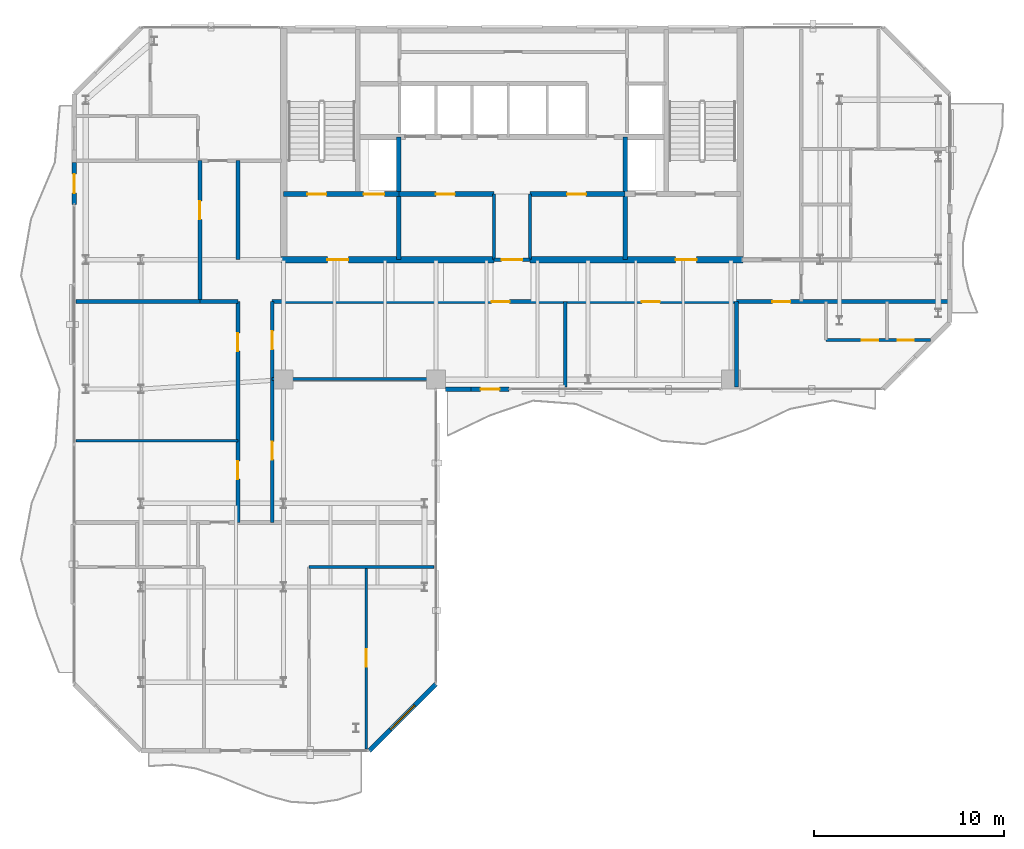
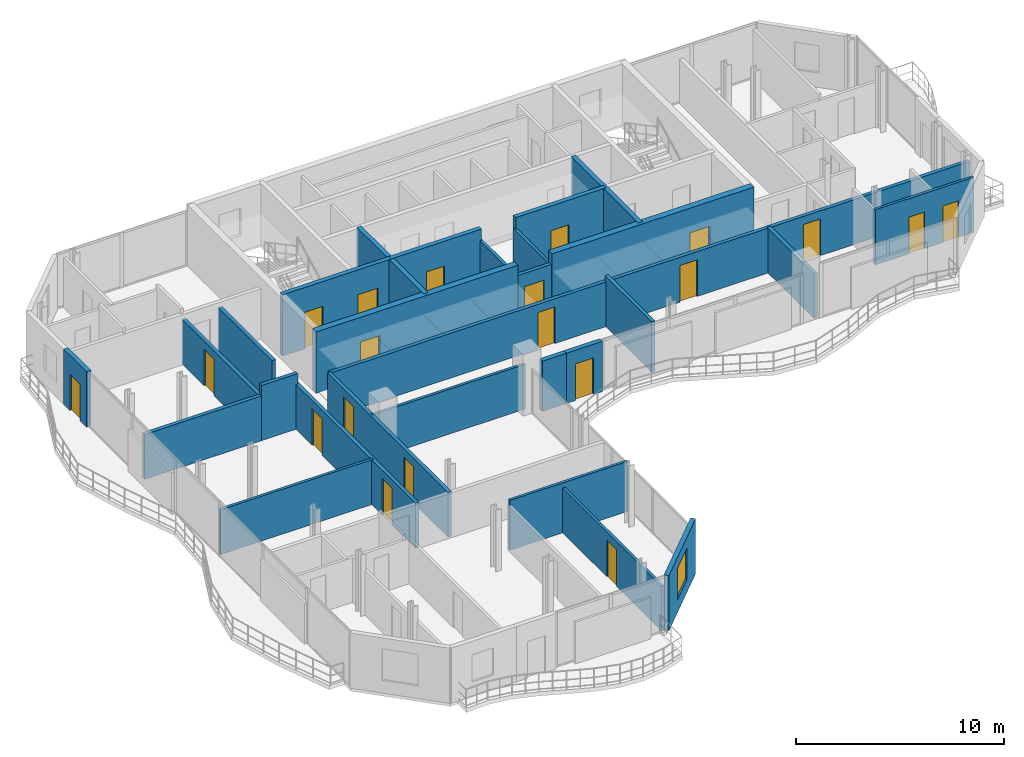
# One storey, part 18 of 23: 28 walls, 20 doors, 1 window, 21 openings.
"""IFC4 building model written with IfcOpenShell, lengths in metres."""

from ifc_helpers import new_model, si_unit, direction, frame, frame_2d, origin, place, context, subcontext, project, spatial, rectangle, extrude, material, layer, layer_set, type_object, element, fill, save


model = new_model("IFC4")

# Units and contexts
model_context = context("Model", 3, precision=1e-05, world=origin(), true_north=direction((0.0, 1.0)))
body_context = subcontext(model_context, "Body", "Model", "MODEL_VIEW")
ifc_project = project(units=[si_unit("LENGTHUNIT", "METRE"), si_unit("AREAUNIT", "SQUARE_METRE"), si_unit("VOLUMEUNIT", "CUBIC_METRE"), si_unit("PLANEANGLEUNIT", "RADIAN"), si_unit("MASSUNIT", "GRAM", prefix="KILO")], contexts=[model_context])

# Site, building, storey
site_placement = place(None, origin())
site = spatial("IfcSite", under=ifc_project, at=site_placement, CompositionType="ELEMENT")
building_placement = place(site_placement, origin())
building = spatial("IfcBuilding", under=site, at=building_placement, Name="Catumbela Crestline Tower", CompositionType="ELEMENT")
storey_placement = place(building_placement, frame((0.0, 0.0, 204.6)))
storey = spatial("IfcBuildingStorey", under=building, at=storey_placement, Name="L53", CompositionType="ELEMENT", Elevation=204.6)

# Walls
ifc_material_1 = material(Name="Concrete C50/60", Category="concrete")
ifc_layer_1 = layer(ifc_material_1, 0.25, Name="Concrete C50/60")
ifc_layer_set_1 = layer_set([ifc_layer_1], Name="Concrete C50/60")
wall_type_1 = type_object("IfcWallType", Name="CW-250D", PredefinedType="SHEAR", material=ifc_layer_set_1)
for number, where, z_axis, x_axis, name in (
    (1, (22.05, 30.8, 0.0), (0.0, 0.0, 1.0), (0.0, 1.0, 0.0), "L53 Structural Core Shear Wall FFW"),
    (2, (33.95, 30.8, 0.0), (0.0, 0.0, 1.0), (0.0, 1.0, 0.0), "L53 Structural Core Shear Wall FFE"),
):
    element("IfcWall", number, at=place(storey_placement, frame(where, z_axis=z_axis, x_axis=x_axis)), inside=storey, type_object=wall_type_1, Name=name, PredefinedType="SHEAR", context=body_context, shape_type="SweptSolid", body=[
        extrude(rectangle(XDim=6.45, YDim=0.25, at=frame_2d((3.225, 0.0))), origin(), (0.0, 0.0, 1.0), 3.6),
    ])

# Wall, openings, doors
wall_1_placement = place(storey_placement, frame((16.0, 34.25, 0.0), z_axis=(0.0, 0.0, 1.0), x_axis=(1.0, 0.0, 0.0)))
wall_1 = element("IfcWall", 3, at=wall_1_placement, inside=storey, type_object=wall_type_1, Name="L53 Structural Core Shear Wall ST1S", PredefinedType="SHEAR", context=body_context, shape_type="SweptSolid", body=[
    extrude(rectangle(XDim=6.05, YDim=0.25, at=frame_2d((3.025, 0.0))), origin(), (0.0, 0.0, 1.0), 3.6),
])
opening_1_placement = place(wall_1_placement, frame((1.25, 0.0, 0.0)))
opening_1 = element("IfcOpeningElement", 4, at=opening_1_placement, cuts=wall_1, Name="Opening DF9-100", PredefinedType="OPENING", context=body_context, shape_type="SweptSolid", body=[
    extrude(rectangle(XDim=1.0, YDim=2.15, at=frame_2d((0.5, 1.075))), frame((0.0, 0.135, 0.0), z_axis=(0.0, -1.0, 0.0), x_axis=(1.0, 0.0, 0.0)), (0.0, 0.0, 1.0), 0.27),
])
opening_2_placement = place(wall_1_placement, frame((4.2, 0.0, 0.0)))
opening_2 = element("IfcOpeningElement", 5, at=opening_2_placement, cuts=wall_1, Name="Opening LD-110", PredefinedType="OPENING", context=body_context, shape_type="SweptSolid", body=[
    extrude(rectangle(XDim=1.1, YDim=2.15, at=frame_2d((0.55, 1.075))), frame((0.0, 0.135, 0.0), z_axis=(0.0, -1.0, 0.0), x_axis=(1.0, 0.0, 0.0)), (0.0, 0.0, 1.0), 0.27),
])
ifc_material_2 = material(Name="Stainless steel EN 1.4401", Category="steel")
door_type_1 = type_object("IfcDoorType", Name="DF9-100", OperationType="NOTDEFINED", PredefinedType="DOOR", material=ifc_material_2)
door_1_placement = place(opening_1_placement, origin())
door_1 = element("IfcDoor", 6, at=door_1_placement, inside=storey, type_object=door_type_1, Name="L53 Interior Door DR-L53-ST01", OperationType="SINGLE_SWING_LEFT", OverallHeight=2.15, OverallWidth=1.0, PredefinedType="DOOR", context=body_context, shape_type="SweptSolid", body=[
    extrude(rectangle(XDim=1.0, YDim=2.15, at=frame_2d((0.5, 1.075))), frame((0.0, 0.025, 0.0), z_axis=(0.0, -1.0, 0.0), x_axis=(1.0, 0.0, 0.0)), (0.0, 0.0, 1.0), 0.05),
])
fill(opening_1, door_1)
door_type_2 = type_object("IfcDoorType", Name="LD-110", OperationType="NOTDEFINED", PredefinedType="DOOR", material=ifc_material_2)
door_2_placement = place(opening_2_placement, origin())
door_2 = element("IfcDoor", 7, at=door_2_placement, inside=storey, type_object=door_type_2, Name="L53 Lift Landing Sliding Door FL-01", OperationType="DOUBLE_DOOR_SLIDING", OverallHeight=2.15, OverallWidth=1.1, PredefinedType="DOOR", context=body_context, shape_type="SweptSolid", body=[
    extrude(rectangle(XDim=1.1, YDim=2.15, at=frame_2d((0.55, 1.075))), frame((0.0, 0.025, 0.0), z_axis=(0.0, -1.0, 0.0), x_axis=(1.0, 0.0, 0.0)), (0.0, 0.0, 1.0), 0.05),
])
fill(opening_2, door_2)

# Wall, opening, door
wall_2_placement = place(storey_placement, frame((22.05, 34.25, 0.0), z_axis=(0.0, 0.0, 1.0), x_axis=(1.0, 0.0, 0.0)))
wall_2 = element("IfcWall", 8, at=wall_2_placement, inside=storey, type_object=wall_type_1, Name="L53 Structural Core Shear Wall LIFTS-W", PredefinedType="SHEAR", context=body_context, shape_type="SweptSolid", body=[
    extrude(rectangle(XDim=5.0, YDim=0.25, at=frame_2d((2.5, 0.0))), origin(), (0.0, 0.0, 1.0), 3.6),
])
opening_3_placement = place(wall_2_placement, frame((1.95, 0.0, 0.0)))
opening_3 = element("IfcOpeningElement", 9, at=opening_3_placement, cuts=wall_2, Name="Opening DF9-100", PredefinedType="OPENING", context=body_context, shape_type="SweptSolid", body=[
    extrude(rectangle(XDim=1.0, YDim=2.15, at=frame_2d((0.5, 1.075))), frame((0.0, 0.135, 0.0), z_axis=(0.0, -1.0, 0.0), x_axis=(1.0, 0.0, 0.0)), (0.0, 0.0, 1.0), 0.27),
])
door_3_placement = place(opening_3_placement, origin())
door_3 = element("IfcDoor", 10, at=door_3_placement, inside=storey, type_object=door_type_1, Name="L53 Interior Door DR-L53-RECL1", OperationType="SINGLE_SWING_LEFT", OverallHeight=2.15, OverallWidth=1.0, PredefinedType="DOOR", context=body_context, shape_type="SweptSolid", body=[
    extrude(rectangle(XDim=1.0, YDim=2.15, at=frame_2d((0.5, 1.075))), frame((0.0, 0.025, 0.0), z_axis=(0.0, -1.0, 0.0), x_axis=(1.0, 0.0, 0.0)), (0.0, 0.0, 1.0), 0.05),
])
fill(opening_3, door_3)

wall_3_placement = place(storey_placement, frame((28.95, 34.25, 0.0), z_axis=(0.0, 0.0, 1.0), x_axis=(1.0, 0.0, 0.0)))
wall_3 = element("IfcWall", 11, at=wall_3_placement, inside=storey, type_object=wall_type_1, Name="L53 Structural Core Shear Wall LIFTS-E", PredefinedType="SHEAR", context=body_context, shape_type="SweptSolid", body=[
    extrude(rectangle(XDim=5.0, YDim=0.25, at=frame_2d((2.5, 0.0))), origin(), (0.0, 0.0, 1.0), 3.6),
])
opening_4_placement = place(wall_3_placement, frame((1.95, 0.0, 0.0)))
opening_4 = element("IfcOpeningElement", 12, at=opening_4_placement, cuts=wall_3, Name="Opening DF9-100", PredefinedType="OPENING", context=body_context, shape_type="SweptSolid", body=[
    extrude(rectangle(XDim=1.0, YDim=2.15, at=frame_2d((0.5, 1.075))), frame((0.0, 0.135, 0.0), z_axis=(0.0, -1.0, 0.0), x_axis=(1.0, 0.0, 0.0)), (0.0, 0.0, 1.0), 0.27),
])
door_4_placement = place(opening_4_placement, origin())
door_4 = element("IfcDoor", 13, at=door_4_placement, inside=storey, type_object=door_type_1, Name="L53 Interior Door DR-L53-RECL2", OperationType="SINGLE_SWING_RIGHT", OverallHeight=2.15, OverallWidth=1.0, PredefinedType="DOOR", context=body_context, shape_type="SweptSolid", body=[
    extrude(rectangle(XDim=1.0, YDim=2.15, at=frame_2d((0.5, 1.075))), frame((0.0, 0.025, 0.0), z_axis=(0.0, -1.0, 0.0), x_axis=(1.0, 0.0, 0.0)), (0.0, 0.0, 1.0), 0.05),
])
fill(opening_4, door_4)

ifc_layer_2 = layer(ifc_material_1, 0.35, Name="Concrete C50/60")
ifc_layer_set_2 = layer_set([ifc_layer_2], Name="Concrete C50/60")
wall_type_2 = type_object("IfcWallType", Name="CW-350B", PredefinedType="SHEAR", material=ifc_layer_set_2)
wall_4_placement = place(storey_placement, frame((15.85, 30.8, 0.0), z_axis=(0.0, 0.0, 1.0), x_axis=(1.0, 0.0, 0.0)))
wall_4 = element("IfcWall", 14, at=wall_4_placement, inside=storey, type_object=wall_type_2, Name="L53 Structural Core Shear Wall SW", PredefinedType="SHEAR", context=body_context, shape_type="SweptSolid", body=[
    extrude(rectangle(XDim=11.2, YDim=0.35, at=frame_2d((5.6, 0.0))), origin(), (0.0, 0.0, 1.0), 3.6),
])
opening_5_placement = place(wall_4_placement, frame((2.45, 0.0, 0.0)))
opening_5 = element("IfcOpeningElement", 15, at=opening_5_placement, cuts=wall_4, Name="Opening DF9-110", PredefinedType="OPENING", context=body_context, shape_type="SweptSolid", body=[
    extrude(rectangle(XDim=1.1, YDim=2.15, at=frame_2d((0.55, 1.075))), frame((0.0, 0.185, 0.0), z_axis=(0.0, -1.0, 0.0), x_axis=(1.0, 0.0, 0.0)), (0.0, 0.0, 1.0), 0.37),
])
door_type_3 = type_object("IfcDoorType", Name="DF9-110", OperationType="NOTDEFINED", PredefinedType="DOOR", material=ifc_material_2)
door_5_placement = place(opening_5_placement, origin())
door_5 = element("IfcDoor", 16, at=door_5_placement, inside=storey, type_object=door_type_3, Name="L53 Interior Door DR-L53-FFW-S", OperationType="SINGLE_SWING_LEFT", OverallHeight=2.15, OverallWidth=1.1, PredefinedType="DOOR", context=body_context, shape_type="SweptSolid", body=[
    extrude(rectangle(XDim=1.1, YDim=2.15, at=frame_2d((0.55, 1.075))), frame((0.0, 0.025, 0.0), z_axis=(0.0, -1.0, 0.0), x_axis=(1.0, 0.0, 0.0)), (0.0, 0.0, 1.0), 0.05),
])
fill(opening_5, door_5)

wall_5_placement = place(storey_placement, frame((28.95, 30.8, 0.0), z_axis=(0.0, 0.0, 1.0), x_axis=(1.0, 0.0, 0.0)))
wall_5 = element("IfcWall", 17, at=wall_5_placement, inside=storey, type_object=wall_type_2, Name="L53 Structural Core Shear Wall SE", PredefinedType="SHEAR", context=body_context, shape_type="SweptSolid", body=[
    extrude(rectangle(XDim=11.2, YDim=0.35, at=frame_2d((5.6, 0.0))), origin(), (0.0, 0.0, 1.0), 3.6),
])
opening_6_placement = place(wall_5_placement, frame((7.65, 0.0, 0.0)))
opening_6 = element("IfcOpeningElement", 18, at=opening_6_placement, cuts=wall_5, Name="Opening DF9-110", PredefinedType="OPENING", context=body_context, shape_type="SweptSolid", body=[
    extrude(rectangle(XDim=1.1, YDim=2.15, at=frame_2d((0.55, 1.075))), frame((0.0, 0.185, 0.0), z_axis=(0.0, -1.0, 0.0), x_axis=(1.0, 0.0, 0.0)), (0.0, 0.0, 1.0), 0.37),
])
door_6_placement = place(opening_6_placement, origin())
door_6 = element("IfcDoor", 19, at=door_6_placement, inside=storey, type_object=door_type_3, Name="L53 Interior Door DR-L53-FFE-S", OperationType="SINGLE_SWING_RIGHT", OverallHeight=2.15, OverallWidth=1.1, PredefinedType="DOOR", context=body_context, shape_type="SweptSolid", body=[
    extrude(rectangle(XDim=1.1, YDim=2.15, at=frame_2d((0.55, 1.075))), frame((0.0, 0.025, 0.0), z_axis=(0.0, -1.0, 0.0), x_axis=(1.0, 0.0, 0.0)), (0.0, 0.0, 1.0), 0.05),
])
fill(opening_6, door_6)

ifc_material_3 = material(Name="Acoustic gypsum and mineral-wool partition")
ifc_layer_3 = layer(ifc_material_3, 0.2, Name="Acoustic gypsum and mineral-wool partition")
ifc_layer_set_3 = layer_set([ifc_layer_3], Name="Acoustic gypsum and mineral-wool partition")
wall_type_3 = type_object("IfcWallType", Name="WC-200", PredefinedType="PARTITIONING", material=ifc_layer_set_3)
wall_6_placement = place(storey_placement, frame((27.05, 30.8, 0.0), z_axis=(0.0, 0.0, 1.0), x_axis=(1.0, 0.0, 0.0)))
wall_6 = element("IfcWall", 20, at=wall_6_placement, inside=storey, type_object=wall_type_3, Name="L53 Interior Partition PW-L53-CLOBS", PredefinedType="PARTITIONING", context=body_context, shape_type="SweptSolid", body=[
    extrude(rectangle(XDim=1.9, YDim=0.2, at=frame_2d((0.95, 0.0))), origin(), (0.0, 0.0, 1.0), 2.93),
])
opening_7_placement = place(wall_6_placement, frame((0.4, 0.0, 0.0)))
opening_7 = element("IfcOpeningElement", 21, at=opening_7_placement, cuts=wall_6, Name="Opening DF9-110", PredefinedType="OPENING", context=body_context, shape_type="SweptSolid", body=[
    extrude(rectangle(XDim=1.1, YDim=2.15, at=frame_2d((0.55, 1.075))), frame((0.0, 0.11, 0.0), z_axis=(0.0, -1.0, 0.0), x_axis=(1.0, 0.0, 0.0)), (0.0, 0.0, 1.0), 0.22),
])
door_7_placement = place(opening_7_placement, origin())
door_7 = element("IfcDoor", 22, at=door_7_placement, inside=storey, type_object=door_type_3, Name="L53 Interior Door DR-L53-CLOBS", OperationType="SINGLE_SWING_LEFT", OverallHeight=2.15, OverallWidth=1.1, PredefinedType="DOOR", context=body_context, shape_type="SweptSolid", body=[
    extrude(rectangle(XDim=1.1, YDim=2.15, at=frame_2d((0.55, 1.075))), frame((0.0, 0.025, 0.0), z_axis=(0.0, -1.0, 0.0), x_axis=(1.0, 0.0, 0.0)), (0.0, 0.0, 1.0), 0.05),
])
fill(opening_7, door_7)

# Wall
wall_7_placement = place(storey_placement, frame((11.6, 28.6, 0.0), z_axis=(0.0, 0.0, 1.0), x_axis=(1.0, 0.0, 0.0)))
element("IfcWall", 23, at=wall_7_placement, inside=storey, type_object=wall_type_3, Name="L53 Interior Partition PW-L53-RCWL", PredefinedType="PARTITIONING", context=body_context, shape_type="SweptSolid", body=[
    extrude(rectangle(XDim=2.0, YDim=0.2, at=frame_2d((1.0, 0.0))), origin(), (0.0, 0.0, 1.0), 3.24),
])

# Wall, openings, doors
wall_8_placement = place(storey_placement, frame((15.4, 28.6, 0.0), z_axis=(0.0, 0.0, 1.0), x_axis=(1.0, 0.0, 0.0)))
wall_8 = element("IfcWall", 24, at=wall_8_placement, inside=storey, type_object=wall_type_3, Name="L53 Interior Partition PW-L53-RCWR", PredefinedType="PARTITIONING", context=body_context, shape_type="SweptSolid", body=[
    extrude(rectangle(XDim=35.5, YDim=0.2, at=frame_2d((17.75, 0.0))), origin(), (0.0, 0.0, 1.0), 2.63),
])
opening_8_placement = place(wall_8_placement, frame((11.525, 0.0, 0.0)))
opening_8 = element("IfcOpeningElement", 25, at=opening_8_placement, cuts=wall_8, Name="Opening DF6-095", PredefinedType="OPENING", context=body_context, shape_type="SweptSolid", body=[
    extrude(rectangle(XDim=0.95, YDim=2.15, at=frame_2d((0.475, 1.075))), frame((0.0, 0.11, 0.0), z_axis=(0.0, -1.0, 0.0), x_axis=(1.0, 0.0, 0.0)), (0.0, 0.0, 1.0), 0.22),
])
opening_9_placement = place(wall_8_placement, frame((19.425, 0.0, 0.0)))
opening_9 = element("IfcOpeningElement", 26, at=opening_9_placement, cuts=wall_8, Name="Opening DF6-095", PredefinedType="OPENING", context=body_context, shape_type="SweptSolid", body=[
    extrude(rectangle(XDim=0.95, YDim=2.15, at=frame_2d((0.475, 1.075))), frame((0.0, 0.11, 0.0), z_axis=(0.0, -1.0, 0.0), x_axis=(1.0, 0.0, 0.0)), (0.0, 0.0, 1.0), 0.22),
])
opening_10_placement = place(wall_8_placement, frame((26.275, 0.0, 0.0)))
opening_10 = element("IfcOpeningElement", 27, at=opening_10_placement, cuts=wall_8, Name="Opening DF6-095", PredefinedType="OPENING", context=body_context, shape_type="SweptSolid", body=[
    extrude(rectangle(XDim=0.95, YDim=2.15, at=frame_2d((0.475, 1.075))), frame((0.0, 0.11, 0.0), z_axis=(0.0, -1.0, 0.0), x_axis=(1.0, 0.0, 0.0)), (0.0, 0.0, 1.0), 0.22),
])
ifc_material_4 = material(Name="Aluminium alloy AW-6060-T66", Category="aluminium")
door_type_4 = type_object("IfcDoorType", Name="DF6-095", OperationType="NOTDEFINED", PredefinedType="DOOR", material=ifc_material_4)
door_8_placement = place(opening_8_placement, origin())
door_8 = element("IfcDoor", 28, at=door_8_placement, inside=storey, type_object=door_type_4, Name="L53 Interior Door DR-L53-Z3AM1-ENT", OperationType="SINGLE_SWING_LEFT", OverallHeight=2.15, OverallWidth=0.95, PredefinedType="DOOR", context=body_context, shape_type="SweptSolid", body=[
    extrude(rectangle(XDim=0.95, YDim=2.15, at=frame_2d((0.475, 1.075))), frame((0.0, 0.025, 0.0), z_axis=(0.0, -1.0, 0.0), x_axis=(1.0, 0.0, 0.0)), (0.0, 0.0, 1.0), 0.05),
])
fill(opening_8, door_8)
door_9_placement = place(opening_9_placement, origin())
door_9 = element("IfcDoor", 29, at=door_9_placement, inside=storey, type_object=door_type_4, Name="L53 Interior Door DR-L53-Z3AM2-ENT", OperationType="SINGLE_SWING_RIGHT", OverallHeight=2.15, OverallWidth=0.95, PredefinedType="DOOR", context=body_context, shape_type="SweptSolid", body=[
    extrude(rectangle(XDim=0.95, YDim=2.15, at=frame_2d((0.475, 1.075))), frame((0.0, 0.025, 0.0), z_axis=(0.0, -1.0, 0.0), x_axis=(1.0, 0.0, 0.0)), (0.0, 0.0, 1.0), 0.05),
])
fill(opening_9, door_9)
door_10_placement = place(opening_10_placement, origin())
door_10 = element("IfcDoor", 30, at=door_10_placement, inside=storey, type_object=door_type_4, Name="L53 Interior Door DR-L53-S3-ENT", OperationType="SINGLE_SWING_LEFT", OverallHeight=2.15, OverallWidth=0.95, PredefinedType="DOOR", context=body_context, shape_type="SweptSolid", body=[
    extrude(rectangle(XDim=0.95, YDim=2.15, at=frame_2d((0.475, 1.075))), frame((0.0, 0.025, 0.0), z_axis=(0.0, -1.0, 0.0), x_axis=(1.0, 0.0, 0.0)), (0.0, 0.0, 1.0), 0.05),
])
fill(opening_10, door_10)

# Wall
wall_9_placement = place(storey_placement, frame((13.6, 30.8, 0.0), z_axis=(0.0, 0.0, 1.0), x_axis=(0.0, 1.0, 0.0)))
element("IfcWall", 31, at=wall_9_placement, inside=storey, type_object=wall_type_3, Name="L53 Interior Partition PW-L53-NWFYE", PredefinedType="PARTITIONING", context=body_context, shape_type="SweptSolid", body=[
    extrude(rectangle(XDim=5.2, YDim=0.2, at=frame_2d((2.6, 0.0))), origin(), (0.0, 0.0, 1.0), 2.63),
])

# Wall, opening, door
wall_10_placement = place(storey_placement, frame((11.6, 28.6, 0.0), z_axis=(0.0, 0.0, 1.0), x_axis=(0.0, 1.0, 0.0)))
wall_10 = element("IfcWall", 32, at=wall_10_placement, inside=storey, type_object=wall_type_3, Name="L53 Interior Partition PW-L53-NWAM-ENT", PredefinedType="PARTITIONING", context=body_context, shape_type="SweptSolid", body=[
    extrude(rectangle(XDim=7.4, YDim=0.2, at=frame_2d((3.7, 0.0))), origin(), (0.0, 0.0, 1.0), 2.63),
])
opening_11_placement = place(wall_10_placement, frame((4.325, 0.0, 0.0)))
opening_11 = element("IfcOpeningElement", 33, at=opening_11_placement, cuts=wall_10, Name="Opening DF6-095", PredefinedType="OPENING", context=body_context, shape_type="SweptSolid", body=[
    extrude(rectangle(XDim=0.95, YDim=2.15, at=frame_2d((0.475, 1.075))), frame((0.0, 0.11, 0.0), z_axis=(0.0, -1.0, 0.0), x_axis=(1.0, 0.0, 0.0)), (0.0, 0.0, 1.0), 0.22),
])
door_11_placement = place(opening_11_placement, origin())
door_11 = element("IfcDoor", 34, at=door_11_placement, inside=storey, type_object=door_type_4, Name="L53 Interior Door DR-L53-NWAM-ENT", OperationType="SINGLE_SWING_RIGHT", OverallHeight=2.15, OverallWidth=0.95, PredefinedType="DOOR", context=body_context, shape_type="SweptSolid", body=[
    extrude(rectangle(XDim=0.95, YDim=2.15, at=frame_2d((0.475, 1.075))), frame((0.0, 0.025, 0.0), z_axis=(0.0, -1.0, 0.0), x_axis=(1.0, 0.0, 0.0)), (0.0, 0.0, 1.0), 0.05),
])
fill(opening_11, door_11)

# Wall, openings, doors
wall_11_placement = place(storey_placement, frame((13.6, 17.0, 0.0), z_axis=(0.0, 0.0, 1.0), x_axis=(0.0, 1.0, 0.0)))
wall_11 = element("IfcWall", 35, at=wall_11_placement, inside=storey, type_object=wall_type_3, Name="L53 Interior Partition PW-L53-Z3TR1-ENT", PredefinedType="PARTITIONING", context=body_context, shape_type="SweptSolid", body=[
    extrude(rectangle(XDim=11.6, YDim=0.2, at=frame_2d((5.8, 0.0))), origin(), (0.0, 0.0, 1.0), 2.63),
])
opening_12_placement = place(wall_11_placement, frame((8.9962, 0.0, 0.0)))
opening_12 = element("IfcOpeningElement", 36, at=opening_12_placement, cuts=wall_11, Name="Opening DF6-095", PredefinedType="OPENING", context=body_context, shape_type="SweptSolid", body=[
    extrude(rectangle(XDim=0.95, YDim=2.15, at=frame_2d((0.475, 1.075))), frame((0.0, 0.11, 0.0), z_axis=(0.0, -1.0, 0.0), x_axis=(1.0, 0.0, 0.0)), (0.0, 0.0, 1.0), 0.22),
])
opening_13_placement = place(wall_11_placement, frame((2.269, 0.0, 0.0)))
opening_13 = element("IfcOpeningElement", 37, at=opening_13_placement, cuts=wall_11, Name="Opening DF6-095", PredefinedType="OPENING", context=body_context, shape_type="SweptSolid", body=[
    extrude(rectangle(XDim=0.95, YDim=2.15, at=frame_2d((0.475, 1.075))), frame((0.0, 0.11, 0.0), z_axis=(0.0, -1.0, 0.0), x_axis=(1.0, 0.0, 0.0)), (0.0, 0.0, 1.0), 0.22),
])
door_12_placement = place(opening_12_placement, origin())
door_12 = element("IfcDoor", 38, at=door_12_placement, inside=storey, type_object=door_type_4, Name="L53 Interior Door DR-L53-Z3TR1-ENT", OperationType="SINGLE_SWING_LEFT", OverallHeight=2.15, OverallWidth=0.95, PredefinedType="DOOR", context=body_context, shape_type="SweptSolid", body=[
    extrude(rectangle(XDim=0.95, YDim=2.15, at=frame_2d((0.475, 1.075))), frame((0.0, 0.025, 0.0), z_axis=(0.0, -1.0, 0.0), x_axis=(1.0, 0.0, 0.0)), (0.0, 0.0, 1.0), 0.05),
])
fill(opening_12, door_12)
door_13_placement = place(opening_13_placement, origin())
door_13 = element("IfcDoor", 39, at=door_13_placement, inside=storey, type_object=door_type_4, Name="L53 Interior Door DR-L53-Z3DN1-ENT", OperationType="SINGLE_SWING_LEFT", OverallHeight=2.15, OverallWidth=0.95, PredefinedType="DOOR", context=body_context, shape_type="SweptSolid", body=[
    extrude(rectangle(XDim=0.95, YDim=2.15, at=frame_2d((0.475, 1.075))), frame((0.0, 0.025, 0.0), z_axis=(0.0, -1.0, 0.0), x_axis=(1.0, 0.0, 0.0)), (0.0, 0.0, 1.0), 0.05),
])
fill(opening_13, door_13)

wall_12_placement = place(storey_placement, frame((15.4, 17.0, 0.0), z_axis=(0.0, 0.0, 1.0), x_axis=(0.0, 1.0, 0.0)))
wall_12 = element("IfcWall", 40, at=wall_12_placement, inside=storey, type_object=wall_type_3, Name="L53 Interior Partition PW-L53-Z3OF3-ENT", PredefinedType="PARTITIONING", context=body_context, shape_type="SweptSolid", body=[
    extrude(rectangle(XDim=11.6, YDim=0.2, at=frame_2d((5.8, 0.0))), origin(), (0.0, 0.0, 1.0), 2.63),
])
opening_14_placement = place(wall_12_placement, frame((9.095, 0.0, 0.0)))
opening_14 = element("IfcOpeningElement", 41, at=opening_14_placement, cuts=wall_12, Name="Opening DF6-095", PredefinedType="OPENING", context=body_context, shape_type="SweptSolid", body=[
    extrude(rectangle(XDim=0.95, YDim=2.15, at=frame_2d((0.475, 1.075))), frame((0.0, 0.11, 0.0), z_axis=(0.0, -1.0, 0.0), x_axis=(1.0, 0.0, 0.0)), (0.0, 0.0, 1.0), 0.22),
])
opening_15_placement = place(wall_12_placement, frame((3.295, 0.0, 0.0)))
opening_15 = element("IfcOpeningElement", 42, at=opening_15_placement, cuts=wall_12, Name="Opening DF6-095", PredefinedType="OPENING", context=body_context, shape_type="SweptSolid", body=[
    extrude(rectangle(XDim=0.95, YDim=2.15, at=frame_2d((0.475, 1.075))), frame((0.0, 0.11, 0.0), z_axis=(0.0, -1.0, 0.0), x_axis=(1.0, 0.0, 0.0)), (0.0, 0.0, 1.0), 0.22),
])
door_14_placement = place(opening_14_placement, origin())
door_14 = element("IfcDoor", 43, at=door_14_placement, inside=storey, type_object=door_type_4, Name="L53 Interior Door DR-L53-Z3OF3-ENT", OperationType="SINGLE_SWING_RIGHT", OverallHeight=2.15, OverallWidth=0.95, PredefinedType="DOOR", context=body_context, shape_type="SweptSolid", body=[
    extrude(rectangle(XDim=0.95, YDim=2.15, at=frame_2d((0.475, 1.075))), frame((0.0, 0.025, 0.0), z_axis=(0.0, -1.0, 0.0), x_axis=(1.0, 0.0, 0.0)), (0.0, 0.0, 1.0), 0.05),
])
fill(opening_14, door_14)
door_15_placement = place(opening_15_placement, origin())
door_15 = element("IfcDoor", 44, at=door_15_placement, inside=storey, type_object=door_type_4, Name="L53 Interior Door DR-L53-Z3MT1-ENT", OperationType="SINGLE_SWING_RIGHT", OverallHeight=2.15, OverallWidth=0.95, PredefinedType="DOOR", context=body_context, shape_type="SweptSolid", body=[
    extrude(rectangle(XDim=0.95, YDim=2.15, at=frame_2d((0.475, 1.075))), frame((0.0, 0.025, 0.0), z_axis=(0.0, -1.0, 0.0), x_axis=(1.0, 0.0, 0.0)), (0.0, 0.0, 1.0), 0.05),
])
fill(opening_15, door_15)

# Wall, opening, window
ifc_material_5 = material(Name="Angolan grey-ochre granite", Category="masonry")
ifc_layer_4 = layer(ifc_material_5, 0.25, Name="Angolan grey-ochre granite")
ifc_layer_set_4 = layer_set([ifc_layer_4], Name="Angolan grey-ochre granite")
wall_type_4 = type_object("IfcWallType", Name="WE-250", PredefinedType="STANDARD", material=ifc_layer_set_4)
wall_13_placement = place(storey_placement, frame((20.5, 5.0, 0.0), z_axis=(0.0, 0.0, 1.0), x_axis=(0.707106781187, 0.707106781187, 0.0)))
wall_13 = element("IfcWall", 45, at=wall_13_placement, inside=storey, type_object=wall_type_4, Name="L53 Granite Punched Window Wall 1-1", PredefinedType="STANDARD", context=body_context, shape_type="SweptSolid", body=[
    extrude(rectangle(XDim=4.9497, YDim=0.25, at=frame_2d((2.4748, 0.0))), origin(), (0.0, 0.0, 1.0), 3.24),
])
opening_16_placement = place(wall_13_placement, frame((1.5749, 0.0, 0.75)))
opening_16 = element("IfcOpeningElement", 46, at=opening_16_placement, cuts=wall_13, Name="Opening WN-01", PredefinedType="OPENING", context=body_context, shape_type="SweptSolid", body=[
    extrude(rectangle(XDim=1.8, YDim=1.85, at=frame_2d((0.9, 0.925))), frame((0.0, 0.135, 0.0), z_axis=(0.0, -1.0, 0.0), x_axis=(1.0, 0.0, 0.0)), (0.0, 0.0, 1.0), 0.27),
])
ifc_material_6 = material(Name="Low-E laminated solar-control double glazing", Category="glass")
window_type = type_object("IfcWindowType", Name="WF-1800", PartitioningType="SINGLE_PANEL", PredefinedType="WINDOW", material=ifc_material_6)
window_placement = place(opening_16_placement, origin())
window = element("IfcWindow", 47, at=window_placement, inside=storey, type_object=window_type, Name="L53 Facade Vision Window 357", OverallHeight=1.85, OverallWidth=1.8, PartitioningType="SINGLE_PANEL", PredefinedType="WINDOW", context=body_context, shape_type="SweptSolid", body=[
    extrude(rectangle(XDim=1.8, YDim=1.85, at=frame_2d((0.9, 0.925))), frame((0.0, 0.03, 0.0), z_axis=(0.0, -1.0, 0.0), x_axis=(1.0, 0.0, 0.0)), (0.0, 0.0, 1.0), 0.06),
])
fill(opening_16, window)

# Wall, opening, door
wall_14_placement = place(storey_placement, frame((25.85, 24.0, 0.0), z_axis=(0.0, 0.0, 1.0), x_axis=(1.0, 0.0, 0.0)))
wall_14 = element("IfcWall", 48, at=wall_14_placement, inside=storey, type_object=wall_type_4, Name="L53 Exterior Threshold Portal Wall DR-L53-WBAL-1", PredefinedType="STANDARD", context=body_context, shape_type="SweptSolid", body=[
    extrude(rectangle(XDim=2.0, YDim=0.25, at=frame_2d((1.0, 0.0))), origin(), (0.0, 0.0, 1.0), 2.95),
])
opening_17_placement = place(wall_14_placement, frame((0.5, 0.0, 0.0)))
opening_17 = element("IfcOpeningElement", 49, at=opening_17_placement, cuts=wall_14, Name="Opening DB-L53-1", PredefinedType="OPENING", context=body_context, shape_type="SweptSolid", body=[
    extrude(rectangle(XDim=1.0, YDim=2.15, at=frame_2d((0.5, 1.075))), frame((0.0, 0.135, 0.0), z_axis=(0.0, -1.0, 0.0), x_axis=(1.0, 0.0, 0.0)), (0.0, 0.0, 1.0), 0.27),
])
door_type_5 = type_object("IfcDoorType", Name="DB-1000", OperationType="NOTDEFINED", PredefinedType="DOOR", material=ifc_material_4)
door_16_placement = place(opening_17_placement, origin())
door_16 = element("IfcDoor", 50, at=door_16_placement, inside=storey, type_object=door_type_5, Name="L53 Wave Balcony Terrace Door 1", OperationType="SINGLE_SWING_LEFT", OverallHeight=2.15, OverallWidth=1.0, PredefinedType="DOOR", context=body_context, shape_type="SweptSolid", body=[
    extrude(rectangle(XDim=1.0, YDim=2.15, at=frame_2d((0.5, 1.075))), frame((0.0, 0.025, 0.0), z_axis=(0.0, -1.0, 0.0), x_axis=(1.0, 0.0, 0.0)), (0.0, 0.0, 1.0), 0.05),
])
fill(opening_17, door_16)

# Wall
wall_15_placement = place(storey_placement, frame((24.5, 24.0, 0.0), z_axis=(0.0, 0.0, 1.0), x_axis=(1.0, 0.0, 0.0)))
element("IfcWall", 51, at=wall_15_placement, inside=storey, type_object=wall_type_4, Name="L53 Granite Punched Window Wall 3-1", PredefinedType="STANDARD", context=body_context, shape_type="SweptSolid", body=[
    extrude(rectangle(XDim=1.35, YDim=0.25, at=frame_2d((0.675, 0.0))), origin(), (0.0, 0.0, 1.0), 2.95),
])

# Wall, opening, door
wall_16_placement = place(storey_placement, frame((5.0, 35.9, 0.0), z_axis=(0.0, 0.0, 1.0), x_axis=(0.0, -1.0, 0.0)))
wall_16 = element("IfcWall", 52, at=wall_16_placement, inside=storey, type_object=wall_type_4, Name="L53 Exterior Threshold Portal Wall DR-L53-WBAL-4", PredefinedType="STANDARD", context=body_context, shape_type="SweptSolid", body=[
    extrude(rectangle(XDim=2.2, YDim=0.25, at=frame_2d((1.1, 0.0))), origin(), (0.0, 0.0, 1.0), 3.24),
])
opening_18_placement = place(wall_16_placement, frame((0.6, 0.0, 0.0)))
opening_18 = element("IfcOpeningElement", 53, at=opening_18_placement, cuts=wall_16, Name="Opening DB-L53-4", PredefinedType="OPENING", context=body_context, shape_type="SweptSolid", body=[
    extrude(rectangle(XDim=1.0, YDim=2.15, at=frame_2d((0.5, 1.075))), frame((0.0, 0.135, 0.0), z_axis=(0.0, -1.0, 0.0), x_axis=(1.0, 0.0, 0.0)), (0.0, 0.0, 1.0), 0.27),
])
door_17_placement = place(opening_18_placement, origin())
door_17 = element("IfcDoor", 54, at=door_17_placement, inside=storey, type_object=door_type_5, Name="L53 Wave Balcony Terrace Door 4", OperationType="SINGLE_SWING_RIGHT", OverallHeight=2.15, OverallWidth=1.0, PredefinedType="DOOR", context=body_context, shape_type="SweptSolid", body=[
    extrude(rectangle(XDim=1.0, YDim=2.15, at=frame_2d((0.5, 1.075))), frame((0.0, 0.025, 0.0), z_axis=(0.0, -1.0, 0.0), x_axis=(1.0, 0.0, 0.0)), (0.0, 0.0, 1.0), 0.05),
])
fill(opening_18, door_17)

# Wall, openings, doors
ifc_layer_5 = layer(ifc_material_3, 0.15, Name="Acoustic gypsum and mineral-wool partition")
ifc_layer_set_5 = layer_set([ifc_layer_5], Name="Acoustic gypsum and mineral-wool partition")
wall_type_5 = type_object("IfcWallType", Name="WP-150", PredefinedType="PARTITIONING", material=ifc_layer_set_5)
wall_17_placement = place(storey_placement, frame((44.5, 26.576, 0.0), z_axis=(0.0, 0.0, 1.0), x_axis=(1.0, 0.0, 0.0)))
wall_17 = element("IfcWall", 55, at=wall_17_placement, inside=storey, type_object=wall_type_5, Name="L53 Interior Partition PW-L53-S3-KBD1", PredefinedType="PARTITIONING", context=body_context, shape_type="SweptSolid", body=[
    extrude(rectangle(XDim=5.476, YDim=0.15, at=frame_2d((2.738, 0.0))), origin(), (0.0, 0.0, 1.0), 3.24),
])
opening_19_placement = place(wall_17_placement, frame((1.8821, 0.0, 0.0)))
opening_19 = element("IfcOpeningElement", 56, at=opening_19_placement, cuts=wall_17, Name="Opening DI-085", PredefinedType="OPENING", context=body_context, shape_type="SweptSolid", body=[
    extrude(rectangle(XDim=0.85, YDim=2.15, at=frame_2d((0.425, 1.075))), frame((0.0, 0.085, 0.0), z_axis=(0.0, -1.0, 0.0), x_axis=(1.0, 0.0, 0.0)), (0.0, 0.0, 1.0), 0.17),
])
opening_20_placement = place(wall_17_placement, frame((3.7704, 0.0, 0.0)))
opening_20 = element("IfcOpeningElement", 57, at=opening_20_placement, cuts=wall_17, Name="Opening DI-085", PredefinedType="OPENING", context=body_context, shape_type="SweptSolid", body=[
    extrude(rectangle(XDim=0.85, YDim=2.15, at=frame_2d((0.425, 1.075))), frame((0.0, 0.085, 0.0), z_axis=(0.0, -1.0, 0.0), x_axis=(1.0, 0.0, 0.0)), (0.0, 0.0, 1.0), 0.17),
])
door_type_6 = type_object("IfcDoorType", Name="DI-085", OperationType="NOTDEFINED", PredefinedType="DOOR", material=ifc_material_4)
door_18_placement = place(opening_19_placement, origin())
door_18 = element("IfcDoor", 58, at=door_18_placement, inside=storey, type_object=door_type_6, Name="L53 Interior Door DR-L53-S3-BTH", OperationType="SINGLE_SWING_RIGHT", OverallHeight=2.15, OverallWidth=0.85, PredefinedType="DOOR", context=body_context, shape_type="SweptSolid", body=[
    extrude(rectangle(XDim=0.85, YDim=2.15, at=frame_2d((0.425, 1.075))), frame((0.0, 0.025, 0.0), z_axis=(0.0, -1.0, 0.0), x_axis=(1.0, 0.0, 0.0)), (0.0, 0.0, 1.0), 0.05),
])
fill(opening_19, door_18)
door_19_placement = place(opening_20_placement, origin())
door_19 = element("IfcDoor", 59, at=door_19_placement, inside=storey, type_object=door_type_6, Name="L53 Interior Door DR-L53-S3-KIT", OperationType="SINGLE_SWING_LEFT", OverallHeight=2.15, OverallWidth=0.85, PredefinedType="DOOR", context=body_context, shape_type="SweptSolid", body=[
    extrude(rectangle(XDim=0.85, YDim=2.15, at=frame_2d((0.425, 1.075))), frame((0.0, 0.025, 0.0), z_axis=(0.0, -1.0, 0.0), x_axis=(1.0, 0.0, 0.0)), (0.0, 0.0, 1.0), 0.05),
])
fill(opening_20, door_19)

# Walls
for number, where, z_axis, x_axis, name in (
    (60, (5.1, 21.292, 0.0), (0.0, 0.0, 1.0), (1.0, 0.0, 0.0), "L53 Interior Partition PW-L53-RWLP34"),
    (61, (15.4, 24.54, 0.0), (0.0, 0.0, 1.0), (1.0, 0.0, 0.0), "L53 Interior Partition PW-L53-RWRP4"),
):
    element("IfcWall", number, at=place(storey_placement, frame(where, z_axis=z_axis, x_axis=x_axis)), inside=storey, type_object=wall_type_5, Name=name, PredefinedType="PARTITIONING", context=body_context, shape_type="SweptSolid", body=[
        extrude(rectangle(XDim=8.5, YDim=0.15, at=frame_2d((4.25, 0.0))), origin(), (0.0, 0.0, 1.0), 2.63),
    ])
wall_18_placement = place(storey_placement, frame((17.34, 14.65, 0.0), z_axis=(0.0, 0.0, 1.0), x_axis=(1.0, 0.0, 0.0)))
element("IfcWall", 62, at=wall_18_placement, inside=storey, type_object=wall_type_5, Name="L53 Interior Partition PW-L53-SH1-BDRH", PredefinedType="PARTITIONING", context=body_context, shape_type="SweptSolid", body=[
    extrude(rectangle(XDim=6.56, YDim=0.15, at=frame_2d((3.28, 0.0))), origin(), (0.0, 0.0, 1.0), 2.93),
])

# Wall, opening, door
wall_19_placement = place(storey_placement, frame((20.34, 5.1, 0.0), z_axis=(0.0, 0.0, 1.0), x_axis=(0.0, 1.0, 0.0)))
wall_19 = element("IfcWall", 63, at=wall_19_placement, inside=storey, type_object=wall_type_5, Name="L53 Interior Partition PW-L53-SH1-BDR", PredefinedType="PARTITIONING", context=body_context, shape_type="SweptSolid", body=[
    extrude(rectangle(XDim=9.55, YDim=0.15, at=frame_2d((4.775, 0.0))), origin(), (0.0, 0.0, 1.0), 2.63),
])
opening_21_placement = place(wall_19_placement, frame((4.325, 0.0, 0.0)))
opening_21 = element("IfcOpeningElement", 64, at=opening_21_placement, cuts=wall_19, Name="Opening DI-090", PredefinedType="OPENING", context=body_context, shape_type="SweptSolid", body=[
    extrude(rectangle(XDim=0.9, YDim=2.15, at=frame_2d((0.45, 1.075))), frame((0.0, 0.085, 0.0), z_axis=(0.0, -1.0, 0.0), x_axis=(1.0, 0.0, 0.0)), (0.0, 0.0, 1.0), 0.17),
])
door_type_7 = type_object("IfcDoorType", Name="DI-090", OperationType="NOTDEFINED", PredefinedType="DOOR", material=ifc_material_4)
door_20_placement = place(opening_21_placement, origin())
door_20 = element("IfcDoor", 65, at=door_20_placement, inside=storey, type_object=door_type_7, Name="L53 Interior Door DR-L53-SH1-BD2", OperationType="SINGLE_SWING_RIGHT", OverallHeight=2.15, OverallWidth=0.9, PredefinedType="DOOR", context=body_context, shape_type="SweptSolid", body=[
    extrude(rectangle(XDim=0.9, YDim=2.15, at=frame_2d((0.45, 1.075))), frame((0.0, 0.025, 0.0), z_axis=(0.0, -1.0, 0.0), x_axis=(1.0, 0.0, 0.0)), (0.0, 0.0, 1.0), 0.05),
])
fill(opening_21, door_20)

# Walls
ifc_layer_6 = layer(ifc_material_3, 0.2, Name="Acoustic gypsum and mineral-wool partition")
ifc_layer_set_6 = layer_set([ifc_layer_6], Name="Acoustic gypsum and mineral-wool partition")
wall_type_6 = type_object("IfcWallType", Name="WY-200", PredefinedType="PARTITIONING", material=ifc_layer_set_6)
wall_20_placement = place(storey_placement, frame((5.1, 28.6, 0.0), z_axis=(0.0, 0.0, 1.0), x_axis=(1.0, 0.0, 0.0)))
element("IfcWall", 66, at=wall_20_placement, inside=storey, type_object=wall_type_6, Name="L53 Interior Partition PW-L53-RCWNW", PredefinedType="PARTITIONING", context=body_context, shape_type="SweptSolid", body=[
    extrude(rectangle(XDim=6.5, YDim=0.2, at=frame_2d((3.25, 0.0))), origin(), (0.0, 0.0, 1.0), 2.63),
])
wall_21_placement = place(storey_placement, frame((30.8, 24.1, 0.0), z_axis=(0.0, 0.0, 1.0), x_axis=(0.0, 1.0, 0.0)))
element("IfcWall", 67, at=wall_21_placement, inside=storey, type_object=wall_type_6, Name="L53 Interior Partition PW-L53-RSPP-2", PredefinedType="PARTITIONING", context=body_context, shape_type="SweptSolid", body=[
    extrude(rectangle(XDim=4.5, YDim=0.2, at=frame_2d((2.25, 0.0))), origin(), (0.0, 0.0, 1.0), 2.95),
])
wall_22_placement = place(storey_placement, frame((39.8, 24.1, 0.0), z_axis=(0.0, 0.0, 1.0), x_axis=(0.0, 1.0, 0.0)))
element("IfcWall", 68, at=wall_22_placement, inside=storey, type_object=wall_type_6, Name="L53 Interior Partition PW-L53-RSPP-3", PredefinedType="PARTITIONING", context=body_context, shape_type="SweptSolid", body=[
    extrude(rectangle(XDim=4.5, YDim=0.2, at=frame_2d((2.25, 0.0))), origin(), (0.0, 0.0, 1.0), 2.63),
])
ifc_layer_7 = layer(ifc_material_3, 0.15, Name="Acoustic gypsum and mineral-wool partition")
ifc_layer_set_7 = layer_set([ifc_layer_7], Name="Acoustic gypsum and mineral-wool partition")
wall_type_7 = type_object("IfcWallType", Name="WS-150", PredefinedType="PLUMBINGWALL", material=ifc_layer_set_7)
for number, where, z_axis, x_axis, name in (
    (69, (27.05, 30.8, 0.0), (0.0, 0.0, 1.0), (0.0, 1.0, 0.0), "L53 Interior Partition PW-L53-THRW"),
    (70, (28.95, 30.8, 0.0), (0.0, 0.0, 1.0), (0.0, 1.0, 0.0), "L53 Interior Partition PW-L53-THRE"),
):
    element("IfcWall", number, at=place(storey_placement, frame(where, z_axis=z_axis, x_axis=x_axis)), inside=storey, type_object=wall_type_7, Name=name, PredefinedType="PLUMBINGWALL", context=body_context, shape_type="SweptSolid", body=[
        extrude(rectangle(XDim=3.45, YDim=0.15, at=frame_2d((1.725, 0.0))), origin(), (0.0, 0.0, 1.0), 2.93),
    ])

save(model, "model.ifc")
